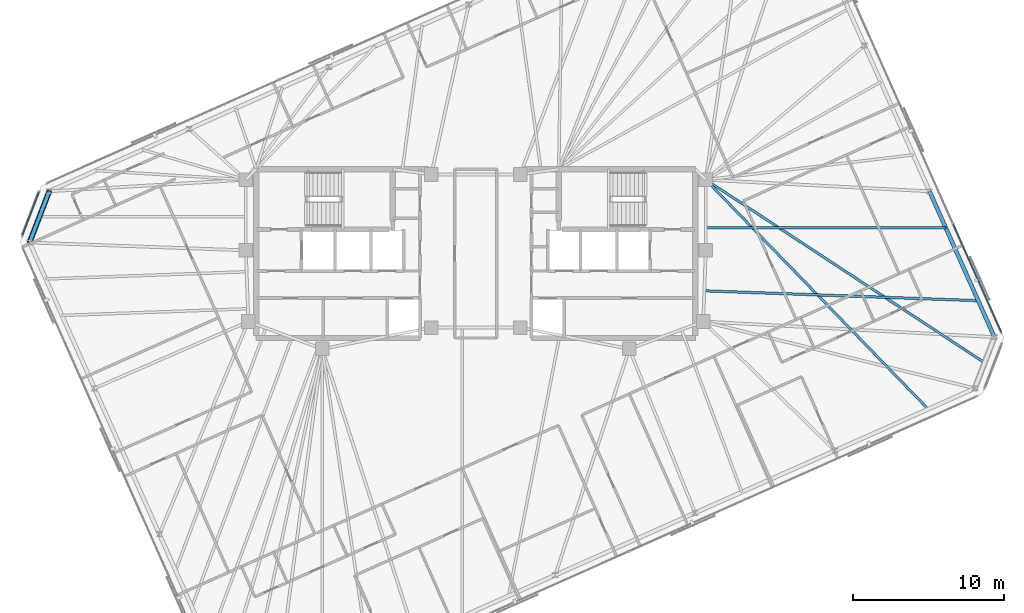
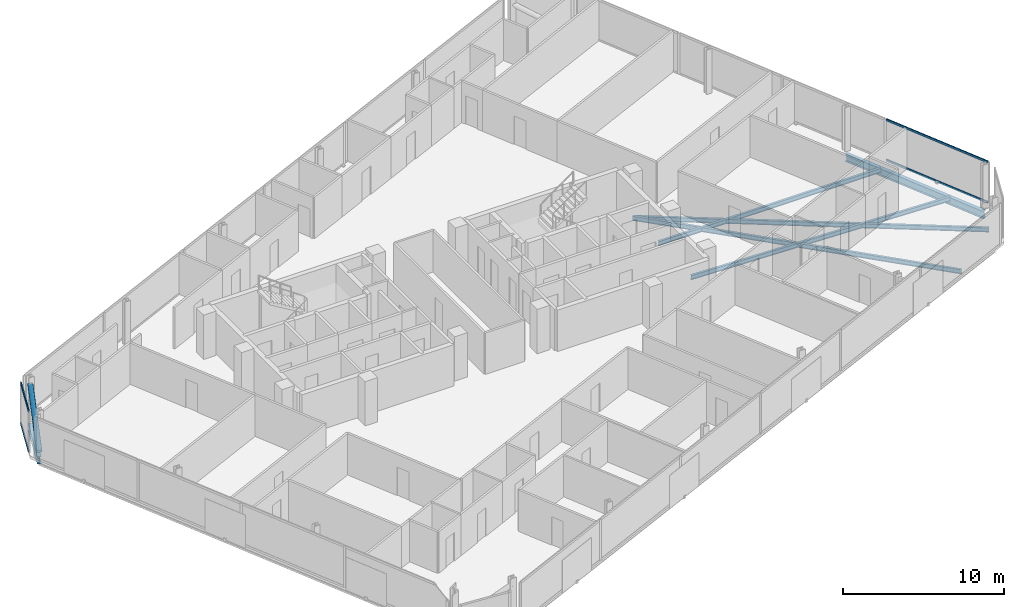
# One storey, part 8 of 18: 6 beams, 5 members, 2 elements without a shape of their own.
"""IFC4 building model written with IfcOpenShell, lengths in metres."""

from ifc_helpers import new_model, si_unit, direction, frame, origin, origin_2d, place, context, subcontext, project, spatial, rectangle, hollow_circle, i_section, extrude, material, material_profile, profile_set, type_object, element, aggregate, save


model = new_model("IFC4")

# Units and contexts
model_context = context("Model", 3, precision=1e-05, world=origin(), true_north=direction((0.0, 1.0)))
body_context = subcontext(model_context, "Body", "Model", "MODEL_VIEW")
ifc_project = project(units=[si_unit("LENGTHUNIT", "METRE"), si_unit("AREAUNIT", "SQUARE_METRE"), si_unit("VOLUMEUNIT", "CUBIC_METRE"), si_unit("PLANEANGLEUNIT", "RADIAN"), si_unit("MASSUNIT", "GRAM", prefix="KILO")], contexts=[model_context])

# Site, building, storey
site_placement = place(None, origin())
site = spatial("IfcSite", under=ifc_project, at=site_placement, CompositionType="ELEMENT")
building_placement = place(site_placement, origin())
building = spatial("IfcBuilding", under=site, at=building_placement, Name="Menara Jurai Vektor", CompositionType="ELEMENT")
storey_placement = place(building_placement, frame((0.0, 0.0, 298.64990234375)))
storey = spatial("IfcBuildingStorey", under=building, at=storey_placement, Name="L80", CompositionType="ELEMENT", Elevation=298.64990234375)

# Curtain wall, members
ifc_material_1 = material(Name="Anodised Pale Aluminium & Low-E Double Glazing", Category="aluminium")
curtain_wall_type = type_object("IfcCurtainWallType", Name="CW-BLK5", PredefinedType="NOTDEFINED", material=ifc_material_1)
curtain_wall_1_placement = place(storey_placement, origin())
curtain_wall_1 = element("IfcCurtainWall", 1, at=curtain_wall_1_placement, inside=storey, type_object=curtain_wall_type, Name="Unitised Curtain Wall L80 F03", PredefinedType="NOTDEFINED")
ifc_material_2 = material(Name="Anodised Pale Aluminium Transom", Category="aluminium")
ifc_material_profile_1 = material_profile(ifc_material_2, rectangle(XDim=0.074951171875, YDim=0.155029296875, at=origin_2d()), Name="ALU TRN 75x155")
ifc_profile_set_1 = profile_set([ifc_material_profile_1], Name="Anodised Pale Aluminium Transom")
member_type_1 = type_object("IfcMemberType", Name="CW-BLK5-TRN", PredefinedType="USERDEFINED", material=ifc_profile_set_1)
member_1_placement = place(storey_placement, frame((34.840087890625, -5.19189453125, 0.03759765625), z_axis=(-0.406739711224, 0.913544091609, 0.0), x_axis=(-0.913544091609, -0.406739711224, 0.0)))
member_1 = element("IfcMember", 2, at=member_1_placement, type_object=member_type_1, Name="CW-05 transom 1.1", ObjectType="TRANSOM", PredefinedType="USERDEFINED", context=body_context, shape_type="SweptSolid", body=[
    extrude(rectangle(XDim=0.074951171875, YDim=0.155029296875, at=origin_2d()), origin(), (0.0, 0.0, 1.0), 7.797607421875),
])
member_2_placement = place(storey_placement, frame((34.840087890625, -5.19189453125, 3.087646484375), z_axis=(-0.406739711224, 0.913544091609, 0.0), x_axis=(-0.913544091609, -0.406739711224, 0.0)))
member_2 = element("IfcMember", 3, at=member_2_placement, type_object=member_type_1, Name="CW-05 transom 1.2", ObjectType="TRANSOM", PredefinedType="USERDEFINED", context=body_context, shape_type="SweptSolid", body=[
    extrude(rectangle(XDim=0.074951171875, YDim=0.155029296875, at=origin_2d()), origin(), (0.0, 0.0, 1.0), 7.797607421875),
])
aggregate(curtain_wall_1, [member_1, member_2])

curtain_wall_2_placement = place(storey_placement, origin())
curtain_wall_2 = element("IfcCurtainWall", 4, at=curtain_wall_2_placement, inside=storey, type_object=curtain_wall_type, Name="Unitised Curtain Wall L80 F06", PredefinedType="NOTDEFINED")
member_3_placement = place(storey_placement, frame((-28.96923828125, 4.079345703125, 0.03759765625), z_axis=(-0.358324523823, -0.933597094911, 0.0), x_axis=(0.933597094911, -0.358324523823, 0.0)))
member_3 = element("IfcMember", 5, at=member_3_placement, type_object=member_type_1, Name="CW-05 transom 1.1", ObjectType="TRANSOM", PredefinedType="USERDEFINED", context=body_context, shape_type="SweptSolid", body=[
    extrude(rectangle(XDim=0.074951171875, YDim=0.155029296875, at=origin_2d()), origin(), (0.0, 0.0, 1.0), 3.049560546875),
])
member_4_placement = place(storey_placement, frame((-28.96923828125, 4.079345703125, 3.087646484375), z_axis=(-0.358324523823, -0.933597094911, 0.0), x_axis=(0.933597094911, -0.358324523823, 0.0)))
member_4 = element("IfcMember", 6, at=member_4_placement, type_object=member_type_1, Name="CW-05 transom 1.2", ObjectType="TRANSOM", PredefinedType="USERDEFINED", context=body_context, shape_type="SweptSolid", body=[
    extrude(rectangle(XDim=0.074951171875, YDim=0.155029296875, at=origin_2d()), origin(), (0.0, 0.0, 1.0), 3.049560546875),
])
aggregate(curtain_wall_2, [member_3, member_4])

# Member
ifc_material_3 = material(Name="Steel S460", Category="steel")
ifc_material_profile_2 = material_profile(ifc_material_3, hollow_circle(Radius=0.177734375, WallThickness=0.01611328125, at=origin_2d()), Name="CHS 355.6x16")
ifc_profile_set_2 = profile_set([ifc_material_profile_2], Name="Steel S460")
member_type_2 = type_object("IfcMemberType", Name="STR-BR-356", PredefinedType="BRACE", material=ifc_profile_set_2)
member_5_placement = place(storey_placement, frame((-29.591796875, 0.73681640625, 0.150146484375), z_axis=(0.2906257681, 0.757042028889, 0.585170085882), x_axis=(-0.933570293083, 0.358394346877, 0.0)))
element("IfcMember", 7, at=member_5_placement, inside=storey, type_object=member_type_2, Name="Exoskeleton Corner Brace L80-3", PredefinedType="BRACE", context=body_context, shape_type="SweptSolid", body=[
    extrude(hollow_circle(Radius=0.177734375, WallThickness=0.01611328125, at=origin_2d()), origin(), (0.0, 0.0, 1.0), 4.48583984375),
])

# Beams
ifc_material_4 = material(Name="Steel S355", Category="steel")
ifc_material_profile_3 = material_profile(ifc_material_4, i_section(OverallWidth=0.1650390625, OverallDepth=0.330078125, WebThickness=0.009033203125, FlangeThickness=0.013916015625, at=origin_2d()), Name="PG 330x165x46")
ifc_profile_set_3 = profile_set([ifc_material_profile_3], Name="Steel S355")
beam_type_1 = type_object("IfcBeamType", Name="STR-JS-330", PredefinedType="JOIST", material=ifc_profile_set_3)
beam_1_placement = place(storey_placement, frame((29.996826171875, -10.30908203125, -0.389892578125), z_axis=(-0.696114697983, 0.717930586653, 0.0), x_axis=(-0.717930586653, -0.696114697983, 0.0)))
element("IfcBeam", 8, at=beam_1_placement, inside=storey, type_object=beam_type_1, Name="Radial Secondary Floor Joist L80-JS06", PredefinedType="JOIST", context=body_context, shape_type="SweptSolid", body=[
    extrude(i_section(OverallWidth=0.1650390625, OverallDepth=0.330078125, WebThickness=0.009033203125, FlangeThickness=0.013916015625, at=origin_2d()), origin(), (0.0, 0.0, 1.0), 21.1845703125),
])
beam_2_placement = place(storey_placement, frame((33.739990234375, -7.23486328125, -0.389892578125), z_axis=(-0.836033194478, 0.54867886576, 0.0), x_axis=(-0.54867886576, -0.836033194478, 0.0)))
element("IfcBeam", 9, at=beam_2_placement, inside=storey, type_object=beam_type_1, Name="Radial Secondary Floor Joist L80-JS07", PredefinedType="JOIST", context=body_context, shape_type="SweptSolid", body=[
    extrude(i_section(OverallWidth=0.1650390625, OverallDepth=0.330078125, WebThickness=0.009033203125, FlangeThickness=0.013916015625, at=origin_2d()), origin(), (0.0, 0.0, 1.0), 22.116455078125),
])
beam_3_placement = place(storey_placement, frame((33.315185546875, -3.119384765625, -0.389892578125), z_axis=(-0.999351699571, 0.036002507761, 0.0), x_axis=(-0.036002507761, -0.999351699571, 0.0)))
element("IfcBeam", 10, at=beam_3_placement, inside=storey, type_object=beam_type_1, Name="Radial Secondary Floor Joist L80-JS08", PredefinedType="JOIST", context=body_context, shape_type="SweptSolid", body=[
    extrude(i_section(OverallWidth=0.1650390625, OverallDepth=0.330078125, WebThickness=0.009033203125, FlangeThickness=0.013916015625, at=origin_2d()), origin(), (0.0, 0.0, 1.0), 18.173583984375),
])
beam_4_placement = place(storey_placement, frame((31.16259765625, 1.7158203125, -0.389892578125), z_axis=(-1.0, 0.0, 0.0), x_axis=(0.0, -1.0, 0.0)))
element("IfcBeam", 11, at=beam_4_placement, inside=storey, type_object=beam_type_1, Name="Radial Secondary Floor Joist L80-JS09", PredefinedType="JOIST", context=body_context, shape_type="SweptSolid", body=[
    extrude(i_section(OverallWidth=0.1650390625, OverallDepth=0.330078125, WebThickness=0.009033203125, FlangeThickness=0.013916015625, at=origin_2d()), origin(), (0.0, 0.0, 1.0), 15.91259765625),
])
ifc_material_profile_4 = material_profile(ifc_material_4, i_section(OverallWidth=0.260009765625, OverallDepth=0.570068359375, WebThickness=0.013916015625, FlangeThickness=0.02392578125, at=origin_2d()), Name="PG 570x260x145")
ifc_profile_set_4 = profile_set([ifc_material_profile_4], Name="Steel S355")
beam_type_2 = type_object("IfcBeamType", Name="STR-SP-570", PredefinedType="SPANDREL", material=ifc_profile_set_4)
beam_5_placement = place(storey_placement, frame((34.3916015625, -5.536865234375, -0.510009765625), z_axis=(-0.40673543049, 0.91354599752, 0.0), x_axis=(-0.91354599752, -0.40673543049, 0.0)))
element("IfcBeam", 12, at=beam_5_placement, inside=storey, type_object=beam_type_2, Name="Exoskeleton Spandrel Beam L80-07", PredefinedType="SPANDREL", context=body_context, shape_type="SweptSolid", body=[
    extrude(i_section(OverallWidth=0.260009765625, OverallDepth=0.570068359375, WebThickness=0.013916015625, FlangeThickness=0.02392578125, at=origin_2d()), origin(), (0.0, 0.0, 1.0), 10.585205078125),
])
beam_6_placement = place(storey_placement, frame((-28.2880859375, 4.1328125, -0.510009765625), z_axis=(-0.358394346877, -0.933570293083, 0.0), x_axis=(0.933570293083, -0.358394346877, 0.0)))
element("IfcBeam", 13, at=beam_6_placement, inside=storey, type_object=beam_type_2, Name="Exoskeleton Spandrel Beam L80-16", PredefinedType="SPANDREL", context=body_context, shape_type="SweptSolid", body=[
    extrude(i_section(OverallWidth=0.260009765625, OverallDepth=0.570068359375, WebThickness=0.013916015625, FlangeThickness=0.02392578125, at=origin_2d()), origin(), (0.0, 0.0, 1.0), 3.6376953125),
])

save(model, "model.ifc")
